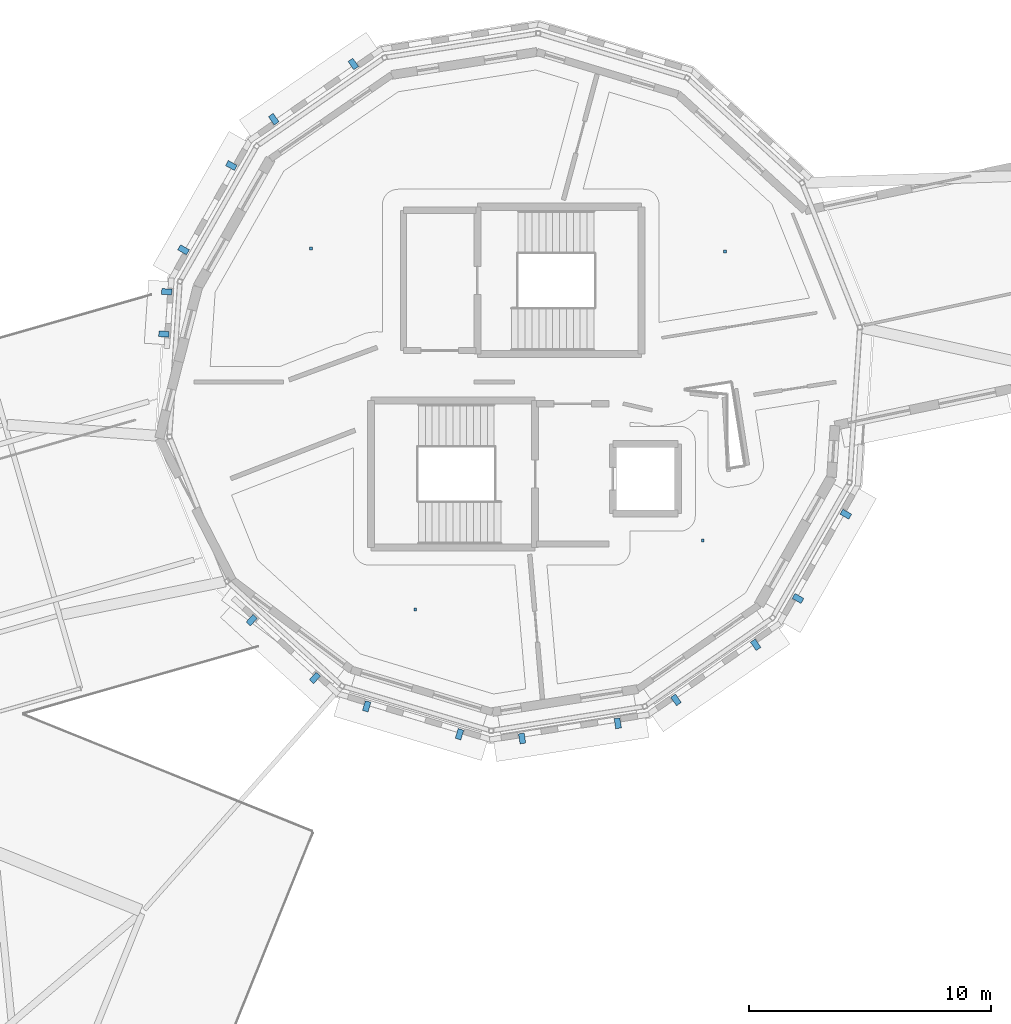
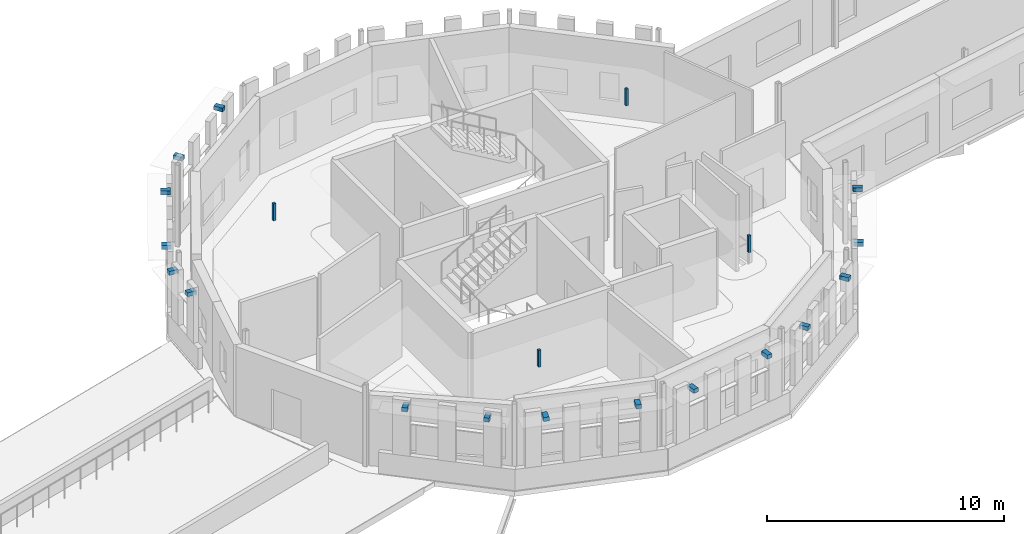
# One storey, part 79 of 90: 20 discrete accessories.
"""IFC4 building model written with IfcOpenShell, lengths in metres."""

from ifc_helpers import new_model, si_unit, direction, frame, origin, origin_2d, place, context, subcontext, project, spatial, rectangle, extrude, material, type_object, element, save


model = new_model("IFC4")

# Units and contexts
model_context = context("Model", 3, precision=1e-05, world=origin(), true_north=direction((0.0, 1.0)))
body_context = subcontext(model_context, "Body", "Model", "MODEL_VIEW")
ifc_project = project(units=[si_unit("LENGTHUNIT", "METRE"), si_unit("AREAUNIT", "SQUARE_METRE"), si_unit("VOLUMEUNIT", "CUBIC_METRE"), si_unit("PLANEANGLEUNIT", "RADIAN"), si_unit("MASSUNIT", "GRAM", prefix="KILO")], contexts=[model_context])

# Site, building, storey
site_placement = place(None, origin())
site = spatial("IfcSite", under=ifc_project, at=site_placement, CompositionType="ELEMENT")
building_placement = place(site_placement, origin())
building = spatial("IfcBuilding", under=site, at=building_placement, Name="Wrenclough Park School", CompositionType="ELEMENT")
storey_placement = place(building_placement, frame((0.0, 0.0, 8.39990234375)))
storey = spatial("IfcBuildingStorey", under=building, at=storey_placement, Name="L02", CompositionType="ELEMENT", Elevation=8.39990234375)

# Discrete accessories
ifc_material_1 = material(Name="Austenitic stainless steel Grade 1.4401", Category="steel")
discrete_accessory_type_1 = type_object("IfcDiscreteAccessoryType", Name="ENV-BRK-01", PredefinedType="BRACKET", material=ifc_material_1)
for number, where, z_axis, x_axis, name in (
    (1, (76.32958984375, 121.64501953125, 3.5400390625), (0.0, 0.0, 1.0), (-0.8220077158, -0.569476351718, 0.0), "Brise-soleil stainless outrigger bracket 0127"),
    (2, (73.037109375, 119.364013671875, 3.5400390625), (0.0, 0.0, 1.0), (-0.8220077158, -0.569476351718, 0.0), "Brise-soleil stainless outrigger bracket 0128"),
    (3, (71.28662109375, 117.448974609375, 3.5400390625), (0.0, 0.0, 1.0), (-0.493508752009, -0.869740830185, 0.0), "Brise-soleil stainless outrigger bracket 0129"),
    (4, (69.31005859375, 113.96533203125, 3.5400390625), (0.0, 0.0, 1.0), (-0.493508752009, -0.869740830185, 0.0), "Brise-soleil stainless outrigger bracket 0130"),
    (5, (68.614501953125, 112.22998046875, 3.5400390625), (0.0, 0.0, 1.0), (-0.067273779956, -0.99773455314, 0.0), "Brise-soleil stainless outrigger bracket 0131"),
    (6, (68.49658203125, 110.482421875, 3.5400390625), (0.0, 0.0, 1.0), (-0.067273779956, -0.99773455314, 0.0), "Brise-soleil stainless outrigger bracket 0132"),
    (7, (72.127685546875, 98.652587890625, 3.5400390625), (0.0, 0.0, 1.0), (0.738120946137, -0.674668414018, 0.0), "Brise-soleil stainless outrigger bracket 0133"),
    (8, (74.739990234375, 96.2646484375, 3.5400390625), (0.0, 0.0, 1.0), (0.738120946137, -0.674668414018, 0.0), "Brise-soleil stainless outrigger bracket 0134"),
    (9, (76.8818359375, 95.089111328125, 3.5400390625), (0.0, 0.0, 1.0), (0.957751215921, -0.287597997911, 0.0), "Brise-soleil stainless outrigger bracket 0135"),
    (10, (80.718017578125, 93.93701171875, 3.5400390625), (0.0, 0.0, 1.0), (0.957751215921, -0.287597997911, 0.0), "Brise-soleil stainless outrigger bracket 0136"),
    (11, (83.306396484375, 93.7626953125, 3.5400390625), (0.0, 0.0, 1.0), (0.98768815471, 0.156435638666, 0.0), "Brise-soleil stainless outrigger bracket 0137"),
    (12, (87.262451171875, 94.38916015625, 3.5400390625), (0.0, 0.0, 1.0), (0.98768815471, 0.156435638666, 0.0), "Brise-soleil stainless outrigger bracket 0138"),
    (13, (89.67041015625, 95.35498046875, 3.5400390625), (0.0, 0.0, 1.0), (0.8220077158, 0.569476351718, 0.0), "Brise-soleil stainless outrigger bracket 0139"),
    (14, (92.962890625, 97.635986328125, 3.5400390625), (0.0, 0.0, 1.0), (0.8220077158, 0.569476351718, 0.0), "Brise-soleil stainless outrigger bracket 0140"),
    (15, (94.71337890625, 99.551025390625, 3.5400390625), (0.0, 0.0, 1.0), (0.493508752009, 0.869740830185, 0.0), "Brise-soleil stainless outrigger bracket 0141"),
    (16, (96.68994140625, 103.03466796875, 3.5400390625), (0.0, 0.0, 1.0), (0.493508752009, 0.869740830185, 0.0), "Brise-soleil stainless outrigger bracket 0142"),
):
    element("IfcDiscreteAccessory", number, at=place(storey_placement, frame(where, z_axis=z_axis, x_axis=x_axis)), inside=storey, type_object=discrete_accessory_type_1, Name=name, PredefinedType="BRACKET", context=body_context, shape_type="SweptSolid", body=[
        extrude(rectangle(XDim=0.239990234375, YDim=0.419921875, at=origin_2d()), origin(), (0.0, 0.0, 1.0), 0.199951171875),
    ])
ifc_material_2 = material(Name="Galvanised steel acoustic ceiling suspension hanger", Category="steel")
discrete_accessory_type_2 = type_object("IfcDiscreteAccessoryType", Name="INT-BRK-HGR", PredefinedType="BRACKET", material=ifc_material_2)
for number, where, z_axis, x_axis, name in (
    (17, (74.5849609375, 114.01904296875, 3.090087890625), (0.0, 0.0, 1.0), (1.0, 0.0, 0.0), "Acoustic ceiling hanger bracket 0054"),
    (18, (78.89013671875, 99.093017578125, 3.090087890625), (0.0, 0.0, 1.0), (1.0, 0.0, 0.0), "Acoustic ceiling hanger bracket 0055"),
    (19, (90.77392578125, 101.955078125, 3.090087890625), (0.0, 0.0, 1.0), (1.0, 0.0, 0.0), "Acoustic ceiling hanger bracket 0056"),
    (20, (91.693115234375, 113.89501953125, 3.090087890625), (0.0, 0.0, 1.0), (1.0, 0.0, 0.0), "Acoustic ceiling hanger bracket 0057"),
):
    element("IfcDiscreteAccessory", number, at=place(storey_placement, frame(where, z_axis=z_axis, x_axis=x_axis)), inside=storey, type_object=discrete_accessory_type_2, Name=name, PredefinedType="BRACKET", context=body_context, shape_type="SweptSolid", body=[
        extrude(rectangle(XDim=0.1201171875, YDim=0.1201171875, at=origin_2d()), origin(), (0.0, 0.0, 1.0), 0.875),
    ])

save(model, "model.ifc")
